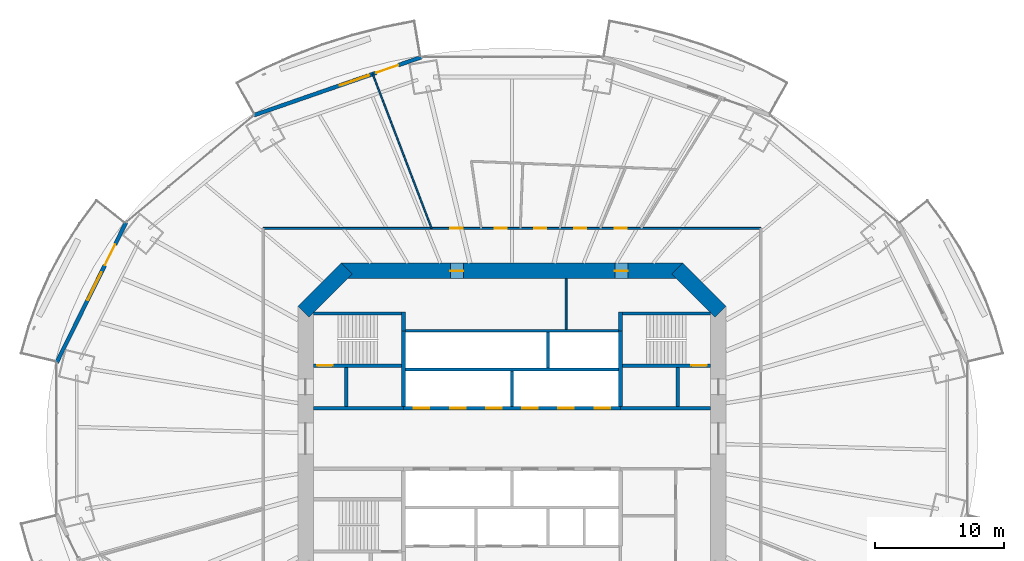
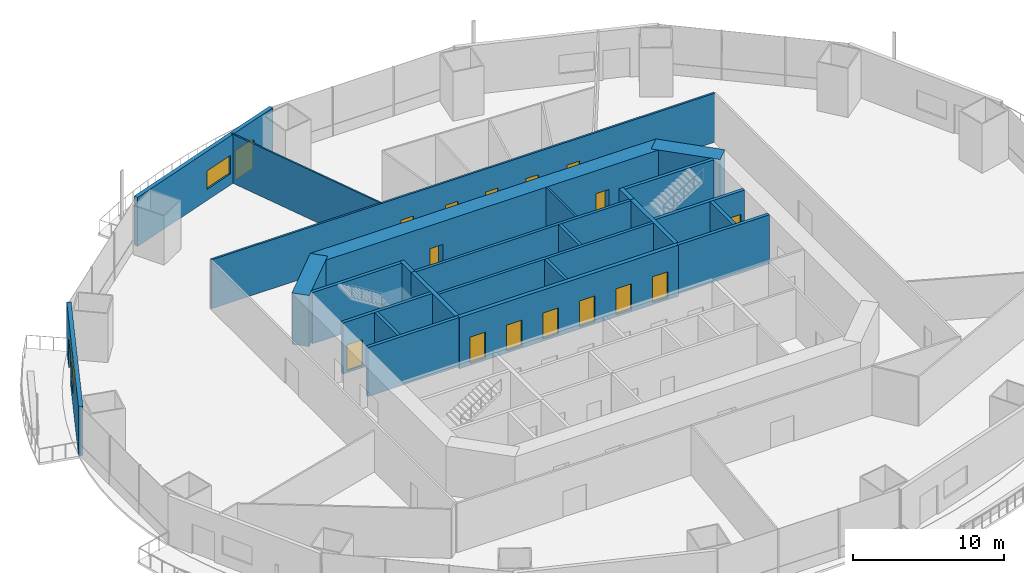
# One storey, part 16 of 23: 25 walls, 17 doors, 2 windows, 19 openings.
"""IFC4 building model written with IfcOpenShell, lengths in metres."""

import ifcopenshell
import ifcopenshell.guid

model = None  # the IFC model being written
_history = None  # IfcOwnerHistory: only IFC2X3 demands one
_inside = {}  # id of a spatial element -> (the spatial element, [elements in it])
_under = {}  # id of a project, library or spatial element -> (it, [spatial elements below it])
_declared = {}  # id of a project -> (the project, [libraries it declares])
_typed = {}  # id of a type object -> (the type object, [elements of that type])
_made_of = {}  # id of a material, layer set ... -> (it, [elements and type objects made of it])


def new_model(schema):
    """Start an empty IFC model of exactly this schema.

    Asked for "IFC4X3", IfcOpenShell would pick the latest addendum, in which some entities
    have other attributes; the version numbers below select the first issue.
    IFC2X3 requires an IfcOwnerHistory on every rooted entity: one is made here for all.
    """
    global model, _history
    if schema == "IFC4X3":
        model = ifcopenshell.file(schema_version=(4, 3, 0, 0))
    else:
        model = ifcopenshell.file(schema=schema)
    _inside.clear()
    _under.clear()
    _declared.clear()
    _typed.clear()
    _made_of.clear()
    _history = None
    if model.schema == "IFC2X3":
        org = make("IfcOrganization", Name="unknown")
        user = make(
            "IfcPersonAndOrganization",
            ThePerson=make("IfcPerson", FamilyName="unknown"),
            TheOrganization=org,
        )
        app = make(
            "IfcApplication",
            ApplicationDeveloper=org,
            Version="unknown",
            ApplicationFullName="unknown",
            ApplicationIdentifier="unknown",
        )
        _history = make(
            "IfcOwnerHistory",
            OwningUser=user,
            OwningApplication=app,
            ChangeAction="ADDED",
            CreationDate=0,
        )
    return model


def make(cls, **values):
    """One entity of the class cls with the attributes given. An attribute that is None is left unset."""
    return model.create_entity(
        cls, **{name: value for name, value in values.items() if value is not None}
    )


def rooted(cls, **values):
    """An entity with a GlobalId (a new one), such as an element, a storey or a relation."""
    return make(cls, GlobalId=ifcopenshell.guid.new(), OwnerHistory=_history, **values)


def si_unit(unit_type, name, prefix=None):
    """IfcSIUnit, for example si_unit("LENGTHUNIT", "METRE", prefix="MILLI")."""
    return make("IfcSIUnit", UnitType=unit_type, Prefix=prefix, Name=name)


def assignment(units):
    """IfcUnitAssignment: the units of a project."""
    return None if units is None else make("IfcUnitAssignment", Units=units)


def point(xyz):
    """IfcCartesianPoint."""
    return None if xyz is None else make("IfcCartesianPoint", Coordinates=xyz)


def direction(xyz):
    """IfcDirection."""
    return None if xyz is None else make("IfcDirection", DirectionRatios=xyz)


def frame(location, z_axis=None, x_axis=None):
    """IfcAxis2Placement3D, a coordinate frame: its origin and axes. An axis left out is left unset."""
    return make(
        "IfcAxis2Placement3D",
        Location=point(location),
        Axis=direction(z_axis),
        RefDirection=direction(x_axis),
    )


def frame_2d(location, x_axis=None):
    """IfcAxis2Placement2D, a coordinate frame in the plane: its origin and x axis."""
    return make(
        "IfcAxis2Placement2D", Location=point(location), RefDirection=direction(x_axis)
    )


def origin():
    """The frame at (0, 0, 0) with its axes left unset."""
    return frame((0.0, 0.0, 0.0))


def place(relative_to, where):
    """IfcLocalPlacement: puts the frame where relative to a parent placement (None: the world)."""
    return make(
        "IfcLocalPlacement", PlacementRelTo=relative_to, RelativePlacement=where
    )


def context(
    kind, dimensions, precision=None, world=None, true_north=None, identifier=None
):
    """IfcGeometricRepresentationContext, for example the 3D "Model" context."""
    return make(
        "IfcGeometricRepresentationContext",
        ContextIdentifier=identifier,
        ContextType=kind,
        CoordinateSpaceDimension=dimensions,
        Precision=precision,
        WorldCoordinateSystem=world,
        TrueNorth=true_north,
    )


def subcontext(parent, identifier, kind, view, scale=None):
    """IfcGeometricRepresentationSubContext, for example "Body" below "Model"."""
    return make(
        "IfcGeometricRepresentationSubContext",
        ContextIdentifier=identifier,
        ContextType=kind,
        ParentContext=parent,
        TargetScale=scale,
        TargetView=view,
    )


def project(units=None, contexts=None):
    """IfcProject with its units and contexts."""
    return rooted(
        "IfcProject",
        Name="project",
        RepresentationContexts=contexts,
        UnitsInContext=assignment(units),
    )


def spatial(cls, under=None, at=None, **own):
    """A site, building, storey or space (cls), placed at a placement, below another one or the project."""
    s = rooted(cls, ObjectPlacement=at, **own)
    if under is not None:
        _under.setdefault(under.id(), (under, []))[1].append(s)
    return s


def profile(cls, at=None, kind="AREA", **sizes):
    """A parametric profile (cls). Its sizes go by their IFC names, for example OverallWidth=200.0."""
    return make(cls, ProfileType=kind, Position=at, **sizes)


def rectangle(**sizes):
    """IfcRectangleProfileDef."""
    return profile("IfcRectangleProfileDef", **sizes)


def extrude(swept, where, along, depth):
    """IfcExtrudedAreaSolid: the profile swept, set in the frame where, extruded along a direction by depth."""
    return make(
        "IfcExtrudedAreaSolid",
        SweptArea=swept,
        Position=where,
        ExtrudedDirection=direction(along),
        Depth=depth,
    )


def shape(context_of_items, identifier, shape_type, items):
    """IfcShapeRepresentation: the items that make up one representation, for example the "Body"."""
    return make(
        "IfcShapeRepresentation",
        ContextOfItems=context_of_items,
        RepresentationIdentifier=identifier,
        RepresentationType=shape_type,
        Items=items,
    )


def material(Name=None, Category=None):
    """IfcMaterial."""
    return make("IfcMaterial", Name=Name, Category=Category)


def layer(
    of_material, thickness, ventilated=None, Name=None, Category=None, Priority=None
):
    """IfcMaterialLayer: one layer of a wall or slab, of a material (None: an air gap)."""
    return make(
        "IfcMaterialLayer",
        Material=of_material,
        LayerThickness=thickness,
        IsVentilated=ventilated,
        Name=Name,
        Category=Category,
        Priority=Priority,
    )


def layer_set(layers, Name=None):
    """IfcMaterialLayerSet."""
    return make("IfcMaterialLayerSet", MaterialLayers=layers, LayerSetName=Name)


def made_of(thing, what):
    """Note that an element or type object is made of a material, layer set ...; save() writes the relation."""
    if what is not None:
        _made_of.setdefault(what.id(), (what, []))[1].append(thing)
    return thing


def type_object(cls, material=None, **own):
    """A type object (cls), such as IfcWallType, which elements share."""
    return made_of(rooted(cls, **own), material)


def element(
    cls,
    number,
    at=None,
    inside=None,
    cuts=None,
    type_object=None,
    material=None,
    context=None,
    identifier="Body",
    shape_type=None,
    held_by="IfcProductDefinitionShape",
    body=None,
    shapes=None,
    **own,
):
    """One element of the class cls, such as IfcWall. Its Tag is "e" and its number.

    at: its placement. inside: the storey or other place that contains it. cuts: it is an
    opening in that element (IfcRelVoidsElement). A single representation is given by context,
    identifier, shape_type and body (its items); several are given by shapes. held_by: the class
    of the entity that holds the representations. save() writes the other relations.
    """
    e = rooted(cls, Tag="e%d" % number, ObjectPlacement=at, **own)
    if body is not None:
        shapes = [shape(context, identifier, shape_type, body)]
    if shapes is not None:
        e.Representation = make(held_by, Representations=shapes)
    if inside is not None:
        _inside.setdefault(inside.id(), (inside, []))[1].append(e)
    if cuts is not None:
        rooted(
            "IfcRelVoidsElement", RelatingBuildingElement=cuts, RelatedOpeningElement=e
        )
    if type_object is not None:
        _typed.setdefault(type_object.id(), (type_object, []))[1].append(e)
    return made_of(e, material)


def fill(opening, filler):
    """IfcRelFillsElement: the door or window that sits in an opening."""
    return rooted(
        "IfcRelFillsElement",
        RelatingOpeningElement=opening,
        RelatedBuildingElement=filler,
    )


def aggregate(whole, parts):
    """IfcRelAggregates: a whole, such as a stair, and the parts it consists of."""
    return rooted("IfcRelAggregates", RelatingObject=whole, RelatedObjects=parts)


def save(model, path):
    """Write the relations noted so far, then the file.

    IfcRelAggregates (storeys below a building ...), IfcRelContainedInSpatialStructure (elements
    in a storey), IfcRelDefinesByType, IfcRelAssociatesMaterial and IfcRelDeclares: one each for
    every whole, place, type object, material and project.
    """
    for whole, parts in _under.values():
        aggregate(whole, parts)
    for where, things in _inside.values():
        rooted(
            "IfcRelContainedInSpatialStructure",
            RelatedElements=things,
            RelatingStructure=where,
        )
    for kind, things in _typed.values():
        rooted("IfcRelDefinesByType", RelatedObjects=things, RelatingType=kind)
    for what, things in _made_of.values():
        rooted("IfcRelAssociatesMaterial", RelatedObjects=things, RelatingMaterial=what)
    for by, libraries in _declared.values():
        rooted("IfcRelDeclares", RelatingContext=by, RelatedDefinitions=libraries)
    model.write(path)


model = new_model("IFC4")

# Units and contexts
model_context = context("Model", 3, precision=1e-05, world=origin(), true_north=direction((0.0, 1.0)))
body_context = subcontext(model_context, "Body", "Model", "MODEL_VIEW")
ifc_project = project(units=[si_unit("LENGTHUNIT", "METRE"), si_unit("AREAUNIT", "SQUARE_METRE"), si_unit("VOLUMEUNIT", "CUBIC_METRE"), si_unit("PLANEANGLEUNIT", "RADIAN"), si_unit("MASSUNIT", "GRAM", prefix="KILO")], contexts=[model_context])

# Site, building, storey
site_placement = place(None, origin())
site = spatial("IfcSite", under=ifc_project, at=site_placement, CompositionType="ELEMENT")
building_placement = place(site_placement, origin())
building = spatial("IfcBuilding", under=site, at=building_placement, Name="Marenthal Gate Tower", CompositionType="ELEMENT")
storey_placement = place(building_placement, frame((0.0, 0.0, 62.050048828125)))
storey = spatial("IfcBuildingStorey", under=building, at=storey_placement, Name="L11", CompositionType="ELEMENT", Elevation=62.050048828125)

# Wall
ifc_material_1 = material(Name="Concrete 60 MPa", Category="concrete")
ifc_layer_1 = layer(ifc_material_1, 1.199951171875)
ifc_layer_set_1 = layer_set([ifc_layer_1], Name="Core shear wall 1200")
wall_type_1 = type_object("IfcWallType", Name="Core shear wall 1200", PredefinedType="SHEAR", material=ifc_layer_set_1)
wall_1_placement = place(storey_placement, frame((16.17578125, 9.82421875, -0.179931640625), z_axis=(0.0, 0.0, 1.0), x_axis=(-0.707106781187, 0.707106781187, 0.0)))
element("IfcWall", 1, at=wall_1_placement, inside=storey, type_object=wall_type_1, Name="Core wall 03", PredefinedType="SHEAR", context=body_context, shape_type="SweptSolid", body=[
    extrude(rectangle(XDim=4.73974609375, YDim=1.199951171875, at=frame_2d((2.369873046875, 0.0))), origin(), (0.0, 0.0, 1.0), 4.14990234375),
])

# Wall, openings, doors
wall_2_placement = place(storey_placement, frame((13.24853515625, 13.0, -0.179931640625), z_axis=(0.0, 0.0, 1.0), x_axis=(-1.0, 0.0, 0.0)))
wall_2 = element("IfcWall", 2, at=wall_2_placement, inside=storey, type_object=wall_type_1, Name="Core wall 04", PredefinedType="SHEAR", context=body_context, shape_type="SweptSolid", body=[
    extrude(rectangle(XDim=26.4970703125, YDim=1.199951171875, at=frame_2d((13.24853515625, 0.0))), origin(), (0.0, 0.0, 1.0), 4.14990234375),
])
opening_1_placement = place(wall_2_placement, frame((17.0244140625, 0.0, 0.179931640625)))
opening_1 = element("IfcOpeningElement", 3, at=opening_1_placement, cuts=wall_2, Name="Opening D005.01", PredefinedType="OPENING", context=body_context, shape_type="SweptSolid", body=[
    extrude(rectangle(XDim=1.0, YDim=2.10009765625, at=frame_2d((0.5, 1.050048828125))), frame((0.0, 0.60986328125, 0.0), z_axis=(0.0, -1.0, 0.0), x_axis=(1.0, 0.0, 0.0)), (0.0, 0.0, 1.0), 1.219970703125),
])
opening_2_placement = place(wall_2_placement, frame((4.2724609375, 0.0, 0.179931640625)))
opening_2 = element("IfcOpeningElement", 4, at=opening_2_placement, cuts=wall_2, Name="Opening D005.02", PredefinedType="OPENING", context=body_context, shape_type="SweptSolid", body=[
    extrude(rectangle(XDim=1.0, YDim=2.10009765625, at=frame_2d((0.5, 1.050048828125))), frame((0.0, 0.60986328125, 0.0), z_axis=(0.0, -1.0, 0.0), x_axis=(1.0, 0.0, 0.0)), (0.0, 0.0, 1.0), 1.219970703125),
])
ifc_material_2 = material(Name="Steel fire door", Category="steel")
door_type_1 = type_object("IfcDoorType", Name="Fire door FD 45 1000 x 2100", OperationType="NOTDEFINED", PredefinedType="DOOR", material=ifc_material_2)
door_1_placement = place(opening_1_placement, origin())
door_1 = element("IfcDoor", 5, at=door_1_placement, inside=storey, type_object=door_type_1, Name="Door D005.01", OperationType="SINGLE_SWING_RIGHT", OverallHeight=2.10009765625, OverallWidth=1.0, PredefinedType="DOOR", context=body_context, shape_type="SweptSolid", body=[
    extrude(rectangle(XDim=1.0, YDim=2.10009765625, at=frame_2d((0.5, 1.050048828125))), frame((0.0, 0.02490234375, 0.0), z_axis=(0.0, -1.0, 0.0), x_axis=(1.0, 0.0, 0.0)), (0.0, 0.0, 1.0), 0.050048828125),
])
fill(opening_1, door_1)
door_2_placement = place(opening_2_placement, origin())
door_2 = element("IfcDoor", 6, at=door_2_placement, inside=storey, type_object=door_type_1, Name="Door D005.02", OperationType="SINGLE_SWING_RIGHT", OverallHeight=2.10009765625, OverallWidth=1.0, PredefinedType="DOOR", context=body_context, shape_type="SweptSolid", body=[
    extrude(rectangle(XDim=1.0, YDim=2.10009765625, at=frame_2d((0.5, 1.050048828125))), frame((0.0, 0.02490234375, 0.0), z_axis=(0.0, -1.0, 0.0), x_axis=(1.0, 0.0, 0.0)), (0.0, 0.0, 1.0), 0.050048828125),
])
fill(opening_2, door_2)

# Wall
wall_3_placement = place(storey_placement, frame((-12.82421875, 13.17578125, -0.179931640625), z_axis=(0.0, 0.0, 1.0), x_axis=(-0.707106781187, -0.707106781187, 0.0)))
element("IfcWall", 7, at=wall_3_placement, inside=storey, type_object=wall_type_1, Name="Core wall 05", PredefinedType="SHEAR", context=body_context, shape_type="SweptSolid", body=[
    extrude(rectangle(XDim=4.73974609375, YDim=1.199951171875, at=frame_2d((2.369873046875, 0.0))), origin(), (0.0, 0.0, 1.0), 4.14990234375),
])

# Wall, openings, doors
ifc_material_3 = material(Name="Concrete 50 MPa", Category="concrete")
ifc_layer_2 = layer(ifc_material_3, 0.300048828125)
ifc_layer_set_2 = layer_set([ifc_layer_2], Name="Hoistway shear wall 300")
wall_type_2 = type_object("IfcWallType", Name="Hoistway shear wall 300", PredefinedType="SHEAR", material=ifc_layer_set_2)
wall_4_placement = place(storey_placement, frame((-8.39990234375, 2.35009765625, -0.179931640625), z_axis=(0.0, 0.0, 1.0), x_axis=(1.0, 0.0, 0.0)))
wall_4 = element("IfcWall", 8, at=wall_4_placement, inside=storey, type_object=wall_type_2, Name="Hoistway wall 19", PredefinedType="SHEAR", context=body_context, shape_type="SweptSolid", body=[
    extrude(rectangle(XDim=16.7998046875, YDim=0.300048828125, at=frame_2d((8.39990234375, 0.0))), origin(), (0.0, 0.0, 1.0), 4.14990234375),
])
opening_3_placement = place(wall_4_placement, frame((0.800048828125, 0.0, 0.179931640625)))
opening_3 = element("IfcOpeningElement", 9, at=opening_3_placement, cuts=wall_4, Name="Opening LD-LP1", PredefinedType="OPENING", context=body_context, shape_type="SweptSolid", body=[
    extrude(rectangle(XDim=1.199951171875, YDim=2.10009765625, at=frame_2d((0.60009765625, 1.050048828125))), frame((0.0, 0.16015625, 0.0), z_axis=(0.0, -1.0, 0.0), x_axis=(1.0, 0.0, 0.0)), (0.0, 0.0, 1.0), 0.320068359375),
])
opening_4_placement = place(wall_4_placement, frame((3.60009765625, 0.0, 0.179931640625)))
opening_4 = element("IfcOpeningElement", 10, at=opening_4_placement, cuts=wall_4, Name="Opening LD-LP2", PredefinedType="OPENING", context=body_context, shape_type="SweptSolid", body=[
    extrude(rectangle(XDim=1.199951171875, YDim=2.10009765625, at=frame_2d((0.60009765625, 1.050048828125))), frame((0.0, 0.16015625, 0.0), z_axis=(0.0, -1.0, 0.0), x_axis=(1.0, 0.0, 0.0)), (0.0, 0.0, 1.0), 0.320068359375),
])
opening_5_placement = place(wall_4_placement, frame((6.39990234375, 0.0, 0.179931640625)))
opening_5 = element("IfcOpeningElement", 11, at=opening_5_placement, cuts=wall_4, Name="Opening LD-LP3", PredefinedType="OPENING", context=body_context, shape_type="SweptSolid", body=[
    extrude(rectangle(XDim=1.199951171875, YDim=2.10009765625, at=frame_2d((0.60009765625, 1.050048828125))), frame((0.0, 0.16015625, 0.0), z_axis=(0.0, -1.0, 0.0), x_axis=(1.0, 0.0, 0.0)), (0.0, 0.0, 1.0), 0.320068359375),
])
opening_6_placement = place(wall_4_placement, frame((9.199951171875, 0.0, 0.179931640625)))
opening_6 = element("IfcOpeningElement", 12, at=opening_6_placement, cuts=wall_4, Name="Opening LD-LP4", PredefinedType="OPENING", context=body_context, shape_type="SweptSolid", body=[
    extrude(rectangle(XDim=1.199951171875, YDim=2.10009765625, at=frame_2d((0.60009765625, 1.050048828125))), frame((0.0, 0.16015625, 0.0), z_axis=(0.0, -1.0, 0.0), x_axis=(1.0, 0.0, 0.0)), (0.0, 0.0, 1.0), 0.320068359375),
])
opening_7_placement = place(wall_4_placement, frame((12.0, 0.0, 0.179931640625)))
opening_7 = element("IfcOpeningElement", 13, at=opening_7_placement, cuts=wall_4, Name="Opening LD-LP5", PredefinedType="OPENING", context=body_context, shape_type="SweptSolid", body=[
    extrude(rectangle(XDim=1.199951171875, YDim=2.10009765625, at=frame_2d((0.60009765625, 1.050048828125))), frame((0.0, 0.16015625, 0.0), z_axis=(0.0, -1.0, 0.0), x_axis=(1.0, 0.0, 0.0)), (0.0, 0.0, 1.0), 0.320068359375),
])
opening_8_placement = place(wall_4_placement, frame((14.800048828125, 0.0, 0.179931640625)))
opening_8 = element("IfcOpeningElement", 14, at=opening_8_placement, cuts=wall_4, Name="Opening LD-LP6", PredefinedType="OPENING", context=body_context, shape_type="SweptSolid", body=[
    extrude(rectangle(XDim=1.199951171875, YDim=2.10009765625, at=frame_2d((0.60009765625, 1.050048828125))), frame((0.0, 0.16015625, 0.0), z_axis=(0.0, -1.0, 0.0), x_axis=(1.0, 0.0, 0.0)), (0.0, 0.0, 1.0), 0.320068359375),
])
ifc_material_4 = material(Name="Stainless steel sliding door", Category="steel")
door_type_2 = type_object("IfcDoorType", Name="Lift landing door FD 90 1200 x 2100", OperationType="DOUBLE_DOOR_SLIDING", PredefinedType="DOOR", material=ifc_material_4)
door_3_placement = place(opening_3_placement, origin())
door_3 = element("IfcDoor", 15, at=door_3_placement, inside=storey, type_object=door_type_2, Name="Lift landing door LP1", OperationType="DOUBLE_DOOR_SLIDING", OverallHeight=2.10009765625, OverallWidth=1.199951171875, PredefinedType="DOOR", context=body_context, shape_type="SweptSolid", body=[
    extrude(rectangle(XDim=1.199951171875, YDim=2.10009765625, at=frame_2d((0.60009765625, 1.050048828125))), frame((0.0, 0.02490234375, 0.0), z_axis=(0.0, -1.0, 0.0), x_axis=(1.0, 0.0, 0.0)), (0.0, 0.0, 1.0), 0.050048828125),
])
fill(opening_3, door_3)
door_4_placement = place(opening_4_placement, origin())
door_4 = element("IfcDoor", 16, at=door_4_placement, inside=storey, type_object=door_type_2, Name="Lift landing door LP2", OperationType="DOUBLE_DOOR_SLIDING", OverallHeight=2.10009765625, OverallWidth=1.199951171875, PredefinedType="DOOR", context=body_context, shape_type="SweptSolid", body=[
    extrude(rectangle(XDim=1.199951171875, YDim=2.10009765625, at=frame_2d((0.60009765625, 1.050048828125))), frame((0.0, 0.02490234375, 0.0), z_axis=(0.0, -1.0, 0.0), x_axis=(1.0, 0.0, 0.0)), (0.0, 0.0, 1.0), 0.050048828125),
])
fill(opening_4, door_4)
door_5_placement = place(opening_5_placement, origin())
door_5 = element("IfcDoor", 17, at=door_5_placement, inside=storey, type_object=door_type_2, Name="Lift landing door LP3", OperationType="DOUBLE_DOOR_SLIDING", OverallHeight=2.10009765625, OverallWidth=1.199951171875, PredefinedType="DOOR", context=body_context, shape_type="SweptSolid", body=[
    extrude(rectangle(XDim=1.199951171875, YDim=2.10009765625, at=frame_2d((0.60009765625, 1.050048828125))), frame((0.0, 0.02490234375, 0.0), z_axis=(0.0, -1.0, 0.0), x_axis=(1.0, 0.0, 0.0)), (0.0, 0.0, 1.0), 0.050048828125),
])
fill(opening_5, door_5)
door_6_placement = place(opening_6_placement, origin())
door_6 = element("IfcDoor", 18, at=door_6_placement, inside=storey, type_object=door_type_2, Name="Lift landing door LP4", OperationType="DOUBLE_DOOR_SLIDING", OverallHeight=2.10009765625, OverallWidth=1.199951171875, PredefinedType="DOOR", context=body_context, shape_type="SweptSolid", body=[
    extrude(rectangle(XDim=1.199951171875, YDim=2.10009765625, at=frame_2d((0.60009765625, 1.050048828125))), frame((0.0, 0.02490234375, 0.0), z_axis=(0.0, -1.0, 0.0), x_axis=(1.0, 0.0, 0.0)), (0.0, 0.0, 1.0), 0.050048828125),
])
fill(opening_6, door_6)
door_7_placement = place(opening_7_placement, origin())
door_7 = element("IfcDoor", 19, at=door_7_placement, inside=storey, type_object=door_type_2, Name="Lift landing door LP5", OperationType="DOUBLE_DOOR_SLIDING", OverallHeight=2.10009765625, OverallWidth=1.199951171875, PredefinedType="DOOR", context=body_context, shape_type="SweptSolid", body=[
    extrude(rectangle(XDim=1.199951171875, YDim=2.10009765625, at=frame_2d((0.60009765625, 1.050048828125))), frame((0.0, 0.02490234375, 0.0), z_axis=(0.0, -1.0, 0.0), x_axis=(1.0, 0.0, 0.0)), (0.0, 0.0, 1.0), 0.050048828125),
])
fill(opening_7, door_7)
door_8_placement = place(opening_8_placement, origin())
door_8 = element("IfcDoor", 20, at=door_8_placement, inside=storey, type_object=door_type_2, Name="Lift landing door LP6", OperationType="DOUBLE_DOOR_SLIDING", OverallHeight=2.10009765625, OverallWidth=1.199951171875, PredefinedType="DOOR", context=body_context, shape_type="SweptSolid", body=[
    extrude(rectangle(XDim=1.199951171875, YDim=2.10009765625, at=frame_2d((0.60009765625, 1.050048828125))), frame((0.0, 0.02490234375, 0.0), z_axis=(0.0, -1.0, 0.0), x_axis=(1.0, 0.0, 0.0)), (0.0, 0.0, 1.0), 0.050048828125),
])
fill(opening_8, door_8)

# Walls
for number, where, z_axis, x_axis, name in (
    (21, (-8.39990234375, 2.5, -0.179931640625), (0.0, 0.0, 1.0), (0.0, 1.0, 0.0), "Hoistway wall 31"),
    (22, (8.39990234375, 2.5, -0.179931640625), (0.0, 0.0, 1.0), (0.0, 1.0, 0.0), "Hoistway wall 43"),
):
    element("IfcWall", number, at=place(storey_placement, frame(where, z_axis=z_axis, x_axis=x_axis)), inside=storey, type_object=wall_type_2, Name=name, PredefinedType="SHEAR", context=body_context, shape_type="SweptSolid", body=[
        extrude(rectangle(XDim=5.85009765625, YDim=0.300048828125, at=frame_2d((2.925048828125, 0.0))), origin(), (0.0, 0.0, 1.0), 4.14990234375),
    ])
ifc_material_5 = material(Name="Concrete 40 MPa", Category="concrete")
ifc_layer_3 = layer(ifc_material_5, 0.219970703125)
ifc_layer_set_3 = layer_set([ifc_layer_3], Name="Hoistway wall 220")
wall_type_3 = type_object("IfcWallType", Name="Hoistway wall 220", PredefinedType="STANDARD", material=ifc_layer_set_3)
for number, where, z_axis, x_axis, name in (
    (23, (-8.25, 5.35009765625, 0.0), (0.0, 0.0, 1.0), (1.0, 0.0, 0.0), "Hoistway wall 21"),
    (24, (-8.25, 8.35009765625, 0.0), (0.0, 0.0, 1.0), (1.0, 0.0, 0.0), "Hoistway wall 24"),
):
    element("IfcWall", number, at=place(storey_placement, frame(where, z_axis=z_axis, x_axis=x_axis)), inside=storey, type_object=wall_type_3, Name=name, PredefinedType="STANDARD", context=body_context, shape_type="SweptSolid", body=[
        extrude(rectangle(XDim=16.5, YDim=0.219970703125, at=frame_2d((8.25, 0.0))), origin(), (0.0, 0.0, 1.0), 3.969970703125),
    ])
wall_5_placement = place(storey_placement, frame((0.0, 2.5, 0.0), z_axis=(0.0, 0.0, 1.0), x_axis=(0.0, 1.0, 0.0)))
element("IfcWall", 25, at=wall_5_placement, inside=storey, type_object=wall_type_3, Name="Hoistway wall 36", PredefinedType="STANDARD", context=body_context, shape_type="SweptSolid", body=[
    extrude(rectangle(XDim=2.739990234375, YDim=0.219970703125, at=frame_2d((1.3701171875, 0.0))), origin(), (0.0, 0.0, 1.0), 3.969970703125),
])
wall_6_placement = place(storey_placement, frame((2.800048828125, 5.4599609375, 0.0), z_axis=(0.0, 0.0, 1.0), x_axis=(0.0, 1.0, 0.0)))
element("IfcWall", 26, at=wall_6_placement, inside=storey, type_object=wall_type_3, Name="Hoistway wall 38", PredefinedType="STANDARD", context=body_context, shape_type="SweptSolid", body=[
    extrude(rectangle(XDim=2.780029296875, YDim=0.219970703125, at=frame_2d((1.39013671875, 0.0))), origin(), (0.0, 0.0, 1.0), 3.969970703125),
])
ifc_material_6 = material(Name="Gypsum board on steel studs", Category="steel")
ifc_layer_4 = layer(ifc_material_6, 0.1201171875)
ifc_layer_set_4 = layer_set([ifc_layer_4], Name="Partition 120")
wall_type_4 = type_object("IfcWallType", Name="Partition 120", PredefinedType="PARTITIONING", material=ifc_layer_set_4)
wall_7_placement = place(storey_placement, frame((-6.23046875, 16.300048828125, 0.0), z_axis=(0.0, 0.0, 1.0), x_axis=(-0.357030786406, 0.934092617227, 0.0)))
element("IfcWall", 27, at=wall_7_placement, inside=storey, type_object=wall_type_4, Name="Partition wall 52", PredefinedType="PARTITIONING", context=body_context, shape_type="SweptSolid", body=[
    extrude(rectangle(XDim=12.80224609375, YDim=0.1201171875, at=frame_2d((6.401123046875, 0.0))), origin(), (0.0, 0.0, 1.0), 3.969970703125),
])
ifc_material_7 = material(Name="Gypsum board on steel studs", Category="steel")
ifc_layer_5 = layer(ifc_material_7, 0.14990234375)
ifc_layer_set_5 = layer_set([ifc_layer_5], Name="Partition 150")
wall_type_5 = type_object("IfcWallType", Name="Partition 150", PredefinedType="PARTITIONING", material=ifc_layer_set_5)
wall_8_placement = place(storey_placement, frame((4.199951171875, 8.4599609375, 0.0), z_axis=(0.0, 0.0, 1.0), x_axis=(0.0, 1.0, 0.0)))
element("IfcWall", 28, at=wall_8_placement, inside=storey, type_object=wall_type_5, Name="Partition wall 39", PredefinedType="PARTITIONING", context=body_context, shape_type="SweptSolid", body=[
    extrude(rectangle(XDim=3.93994140625, YDim=0.14990234375, at=frame_2d((1.969970703125, 0.0))), origin(), (0.0, 0.0, 1.0), 3.969970703125),
])

# Wall, openings, doors
wall_9_placement = place(storey_placement, frame((-19.300048828125, 16.300048828125, 0.0), z_axis=(0.0, 0.0, 1.0), x_axis=(1.0, 0.0, 0.0)))
wall_9 = element("IfcWall", 29, at=wall_9_placement, inside=storey, type_object=wall_type_5, Name="Partition wall 51", PredefinedType="PARTITIONING", context=body_context, shape_type="SweptSolid", body=[
    extrude(rectangle(XDim=38.60009765625, YDim=0.14990234375, at=frame_2d((19.300048828125, 0.0))), origin(), (0.0, 0.0, 1.0), 3.969970703125),
])
opening_9_placement = place(wall_9_placement, frame((27.260009765625, 0.0, 0.0)))
opening_9 = element("IfcOpeningElement", 30, at=opening_9_placement, cuts=wall_9, Name="Opening D016.01", PredefinedType="OPENING", context=body_context, shape_type="SweptSolid", body=[
    extrude(rectangle(XDim=0.949951171875, YDim=2.10009765625, at=frame_2d((0.47509765625, 1.050048828125))), frame((0.0, 0.0849609375, 0.0), z_axis=(0.0, -1.0, 0.0), x_axis=(1.0, 0.0, 0.0)), (0.0, 0.0, 1.0), 0.169921875),
])
opening_10_placement = place(wall_9_placement, frame((24.110107421875, 0.0, 0.0)))
opening_10 = element("IfcOpeningElement", 31, at=opening_10_placement, cuts=wall_9, Name="Opening D016.02", PredefinedType="OPENING", context=body_context, shape_type="SweptSolid", body=[
    extrude(rectangle(XDim=0.949951171875, YDim=2.10009765625, at=frame_2d((0.47509765625, 1.050048828125))), frame((0.0, 0.0849609375, 0.0), z_axis=(0.0, -1.0, 0.0), x_axis=(1.0, 0.0, 0.0)), (0.0, 0.0, 1.0), 0.169921875),
])
opening_11_placement = place(wall_9_placement, frame((21.008056640625, 0.0, 0.0)))
opening_11 = element("IfcOpeningElement", 32, at=opening_11_placement, cuts=wall_9, Name="Opening D016.03", PredefinedType="OPENING", context=body_context, shape_type="SweptSolid", body=[
    extrude(rectangle(XDim=0.949951171875, YDim=2.10009765625, at=frame_2d((0.47509765625, 1.050048828125))), frame((0.0, 0.0849609375, 0.0), z_axis=(0.0, -1.0, 0.0), x_axis=(1.0, 0.0, 0.0)), (0.0, 0.0, 1.0), 0.169921875),
])
opening_12_placement = place(wall_9_placement, frame((17.951904296875, 0.0, 0.0)))
opening_12 = element("IfcOpeningElement", 33, at=opening_12_placement, cuts=wall_9, Name="Opening D016.04", PredefinedType="OPENING", context=body_context, shape_type="SweptSolid", body=[
    extrude(rectangle(XDim=0.949951171875, YDim=2.10009765625, at=frame_2d((0.47509765625, 1.050048828125))), frame((0.0, 0.0849609375, 0.0), z_axis=(0.0, -1.0, 0.0), x_axis=(1.0, 0.0, 0.0)), (0.0, 0.0, 1.0), 0.169921875),
])
opening_13_placement = place(wall_9_placement, frame((14.51611328125, 0.0, 0.0)))
opening_13 = element("IfcOpeningElement", 34, at=opening_13_placement, cuts=wall_9, Name="Opening D016.05", PredefinedType="OPENING", context=body_context, shape_type="SweptSolid", body=[
    extrude(rectangle(XDim=0.949951171875, YDim=2.10009765625, at=frame_2d((0.47509765625, 1.050048828125))), frame((0.0, 0.0849609375, 0.0), z_axis=(0.0, -1.0, 0.0), x_axis=(1.0, 0.0, 0.0)), (0.0, 0.0, 1.0), 0.169921875),
])
ifc_material_8 = material(Name="Timber door", Category="wood")
door_type_3 = type_object("IfcDoorType", Name="Door 950 x 2100", OperationType="NOTDEFINED", PredefinedType="DOOR", material=ifc_material_8)
door_9_placement = place(opening_9_placement, origin())
door_9 = element("IfcDoor", 35, at=door_9_placement, inside=storey, type_object=door_type_3, Name="Door D016.01", OperationType="SINGLE_SWING_RIGHT", OverallHeight=2.10009765625, OverallWidth=0.949951171875, PredefinedType="DOOR", context=body_context, shape_type="SweptSolid", body=[
    extrude(rectangle(XDim=0.949951171875, YDim=2.10009765625, at=frame_2d((0.47509765625, 1.050048828125))), frame((0.0, 0.02490234375, 0.0), z_axis=(0.0, -1.0, 0.0), x_axis=(1.0, 0.0, 0.0)), (0.0, 0.0, 1.0), 0.050048828125),
])
fill(opening_9, door_9)
door_10_placement = place(opening_10_placement, origin())
door_10 = element("IfcDoor", 36, at=door_10_placement, inside=storey, type_object=door_type_3, Name="Door D016.02", OperationType="SINGLE_SWING_RIGHT", OverallHeight=2.10009765625, OverallWidth=0.949951171875, PredefinedType="DOOR", context=body_context, shape_type="SweptSolid", body=[
    extrude(rectangle(XDim=0.949951171875, YDim=2.10009765625, at=frame_2d((0.47509765625, 1.050048828125))), frame((0.0, 0.02490234375, 0.0), z_axis=(0.0, -1.0, 0.0), x_axis=(1.0, 0.0, 0.0)), (0.0, 0.0, 1.0), 0.050048828125),
])
fill(opening_10, door_10)
door_11_placement = place(opening_11_placement, origin())
door_11 = element("IfcDoor", 37, at=door_11_placement, inside=storey, type_object=door_type_3, Name="Door D016.03", OperationType="SINGLE_SWING_RIGHT", OverallHeight=2.10009765625, OverallWidth=0.949951171875, PredefinedType="DOOR", context=body_context, shape_type="SweptSolid", body=[
    extrude(rectangle(XDim=0.949951171875, YDim=2.10009765625, at=frame_2d((0.47509765625, 1.050048828125))), frame((0.0, 0.02490234375, 0.0), z_axis=(0.0, -1.0, 0.0), x_axis=(1.0, 0.0, 0.0)), (0.0, 0.0, 1.0), 0.050048828125),
])
fill(opening_11, door_11)
door_12_placement = place(opening_12_placement, origin())
door_12 = element("IfcDoor", 38, at=door_12_placement, inside=storey, type_object=door_type_3, Name="Door D016.04", OperationType="SINGLE_SWING_RIGHT", OverallHeight=2.10009765625, OverallWidth=0.949951171875, PredefinedType="DOOR", context=body_context, shape_type="SweptSolid", body=[
    extrude(rectangle(XDim=0.949951171875, YDim=2.10009765625, at=frame_2d((0.47509765625, 1.050048828125))), frame((0.0, 0.02490234375, 0.0), z_axis=(0.0, -1.0, 0.0), x_axis=(1.0, 0.0, 0.0)), (0.0, 0.0, 1.0), 0.050048828125),
])
fill(opening_12, door_12)
door_13_placement = place(opening_13_placement, origin())
door_13 = element("IfcDoor", 39, at=door_13_placement, inside=storey, type_object=door_type_3, Name="Door D016.05", OperationType="SINGLE_SWING_RIGHT", OverallHeight=2.10009765625, OverallWidth=0.949951171875, PredefinedType="DOOR", context=body_context, shape_type="SweptSolid", body=[
    extrude(rectangle(XDim=0.949951171875, YDim=2.10009765625, at=frame_2d((0.47509765625, 1.050048828125))), frame((0.0, 0.02490234375, 0.0), z_axis=(0.0, -1.0, 0.0), x_axis=(1.0, 0.0, 0.0)), (0.0, 0.0, 1.0), 0.050048828125),
])
fill(opening_13, door_13)

# Walls
ifc_material_9 = material(Name="Concrete 40 MPa", Category="concrete")
ifc_layer_6 = layer(ifc_material_9, 0.25)
ifc_layer_set_6 = layer_set([ifc_layer_6], Name="Stair enclosure wall 250")
wall_type_6 = type_object("IfcWallType", Name="Stair enclosure wall 250", PredefinedType="STANDARD", material=ifc_layer_set_6)
for number, where, z_axis, x_axis, name in (
    (40, (-15.39990234375, 2.35009765625, 0.0), (0.0, 0.0, 1.0), (1.0, 0.0, 0.0), "Stair wall 18"),
    (41, (8.39990234375, 2.35009765625, 0.0), (0.0, 0.0, 1.0), (1.0, 0.0, 0.0), "Stair wall 20"),
):
    element("IfcWall", number, at=place(storey_placement, frame(where, z_axis=z_axis, x_axis=x_axis)), inside=storey, type_object=wall_type_6, Name=name, PredefinedType="STANDARD", context=body_context, shape_type="SweptSolid", body=[
        extrude(rectangle(XDim=7.0, YDim=0.25, at=frame_2d((3.5, 0.0))), origin(), (0.0, 0.0, 1.0), 3.969970703125),
    ])
for number, where, z_axis, x_axis, name in (
    (42, (-12.85009765625, 2.47509765625, 0.0), (0.0, 0.0, 1.0), (0.0, 1.0, 0.0), "Stair wall 27"),
    (43, (12.85009765625, 2.47509765625, 0.0), (0.0, 0.0, 1.0), (0.0, 1.0, 0.0), "Stair wall 46"),
):
    element("IfcWall", number, at=place(storey_placement, frame(where, z_axis=z_axis, x_axis=x_axis)), inside=storey, type_object=wall_type_6, Name=name, PredefinedType="STANDARD", context=body_context, shape_type="SweptSolid", body=[
        extrude(rectangle(XDim=3.0498046875, YDim=0.25, at=frame_2d((1.52490234375, 0.0))), origin(), (0.0, 0.0, 1.0), 3.969970703125),
    ])

# Wall, opening, door
ifc_material_10 = material(Name="Concrete 50 MPa", Category="concrete")
ifc_layer_7 = layer(ifc_material_10, 0.25)
ifc_layer_set_7 = layer_set([ifc_layer_7], Name="Stair shear wall 250")
wall_type_7 = type_object("IfcWallType", Name="Stair shear wall 250", PredefinedType="SHEAR", material=ifc_layer_set_7)
wall_10_placement = place(storey_placement, frame((-15.39990234375, 5.64990234375, -0.179931640625), z_axis=(0.0, 0.0, 1.0), x_axis=(1.0, 0.0, 0.0)))
wall_10 = element("IfcWall", 44, at=wall_10_placement, inside=storey, type_object=wall_type_7, Name="Stair wall 22", PredefinedType="SHEAR", context=body_context, shape_type="SweptSolid", body=[
    extrude(rectangle(XDim=6.849853515625, YDim=0.25, at=frame_2d((3.4248046875, 0.0))), origin(), (0.0, 0.0, 1.0), 4.14990234375),
])
opening_14_placement = place(wall_10_placement, frame((0.300048828125, 0.0, 0.179931640625)))
opening_14 = element("IfcOpeningElement", 45, at=opening_14_placement, cuts=wall_10, Name="Opening D001.01", PredefinedType="OPENING", context=body_context, shape_type="SweptSolid", body=[
    extrude(rectangle(XDim=1.199951171875, YDim=2.10009765625, at=frame_2d((0.60009765625, 1.050048828125))), frame((0.0, 0.135009765625, 0.0), z_axis=(0.0, -1.0, 0.0), x_axis=(1.0, 0.0, 0.0)), (0.0, 0.0, 1.0), 0.27001953125),
])
ifc_material_11 = material(Name="Steel fire door", Category="steel")
door_type_4 = type_object("IfcDoorType", Name="Fire door FD 90 1200 x 2100", OperationType="NOTDEFINED", PredefinedType="DOOR", material=ifc_material_11)
door_14_placement = place(opening_14_placement, origin())
door_14 = element("IfcDoor", 46, at=door_14_placement, inside=storey, type_object=door_type_4, Name="Door D001.01", OperationType="SINGLE_SWING_RIGHT", OverallHeight=2.10009765625, OverallWidth=1.199951171875, PredefinedType="DOOR", context=body_context, shape_type="SweptSolid", body=[
    extrude(rectangle(XDim=1.199951171875, YDim=2.10009765625, at=frame_2d((0.60009765625, 1.050048828125))), frame((0.0, 0.02490234375, 0.0), z_axis=(0.0, -1.0, 0.0), x_axis=(1.0, 0.0, 0.0)), (0.0, 0.0, 1.0), 0.050048828125),
])
fill(opening_14, door_14)

wall_11_placement = place(storey_placement, frame((8.550048828125, 5.64990234375, -0.179931640625), z_axis=(0.0, 0.0, 1.0), x_axis=(1.0, 0.0, 0.0)))
wall_11 = element("IfcWall", 47, at=wall_11_placement, inside=storey, type_object=wall_type_7, Name="Stair wall 23", PredefinedType="SHEAR", context=body_context, shape_type="SweptSolid", body=[
    extrude(rectangle(XDim=6.849853515625, YDim=0.25, at=frame_2d((3.4248046875, 0.0))), origin(), (0.0, 0.0, 1.0), 4.14990234375),
])
opening_15_placement = place(wall_11_placement, frame((5.35009765625, 0.0, 0.179931640625)))
opening_15 = element("IfcOpeningElement", 48, at=opening_15_placement, cuts=wall_11, Name="Opening D001.02", PredefinedType="OPENING", context=body_context, shape_type="SweptSolid", body=[
    extrude(rectangle(XDim=1.199951171875, YDim=2.10009765625, at=frame_2d((0.60009765625, 1.050048828125))), frame((0.0, 0.135009765625, 0.0), z_axis=(0.0, -1.0, 0.0), x_axis=(1.0, 0.0, 0.0)), (0.0, 0.0, 1.0), 0.27001953125),
])
door_15_placement = place(opening_15_placement, origin())
door_15 = element("IfcDoor", 49, at=door_15_placement, inside=storey, type_object=door_type_4, Name="Door D001.02", OperationType="SINGLE_SWING_RIGHT", OverallHeight=2.10009765625, OverallWidth=1.199951171875, PredefinedType="DOOR", context=body_context, shape_type="SweptSolid", body=[
    extrude(rectangle(XDim=1.199951171875, YDim=2.10009765625, at=frame_2d((0.60009765625, 1.050048828125))), frame((0.0, 0.02490234375, 0.0), z_axis=(0.0, -1.0, 0.0), x_axis=(1.0, 0.0, 0.0)), (0.0, 0.0, 1.0), 0.050048828125),
])
fill(opening_15, door_15)

# Walls
for number, where, z_axis, x_axis, name in (
    (50, (-15.39990234375, 9.699951171875, -0.179931640625), (0.0, 0.0, 1.0), (1.0, 0.0, 0.0), "Stair wall 25"),
    (51, (8.550048828125, 9.699951171875, -0.179931640625), (0.0, 0.0, 1.0), (1.0, 0.0, 0.0), "Stair wall 26"),
):
    element("IfcWall", number, at=place(storey_placement, frame(where, z_axis=z_axis, x_axis=x_axis)), inside=storey, type_object=wall_type_7, Name=name, PredefinedType="SHEAR", context=body_context, shape_type="SweptSolid", body=[
        extrude(rectangle(XDim=6.849853515625, YDim=0.25, at=frame_2d((3.4248046875, 0.0))), origin(), (0.0, 0.0, 1.0), 4.14990234375),
    ])
ifc_material_12 = material(Name="Concrete 50 MPa", Category="concrete")
ifc_layer_8 = layer(ifc_material_12, 0.300048828125)
ifc_layer_set_8 = layer_set([ifc_layer_8], Name="Stair shear wall 300")
wall_type_8 = type_object("IfcWallType", Name="Stair shear wall 300", PredefinedType="SHEAR", material=ifc_layer_set_8)
for number, where, z_axis, x_axis, name in (
    (52, (-8.39990234375, 8.35009765625, -0.179931640625), (0.0, 0.0, 1.0), (0.0, 1.0, 0.0), "Stair wall 32"),
    (53, (8.39990234375, 8.35009765625, -0.179931640625), (0.0, 0.0, 1.0), (0.0, 1.0, 0.0), "Stair wall 44"),
):
    element("IfcWall", number, at=place(storey_placement, frame(where, z_axis=z_axis, x_axis=x_axis)), inside=storey, type_object=wall_type_8, Name=name, PredefinedType="SHEAR", context=body_context, shape_type="SweptSolid", body=[
        extrude(rectangle(XDim=1.474853515625, YDim=0.300048828125, at=frame_2d((0.7373046875, 0.0))), origin(), (0.0, 0.0, 1.0), 4.14990234375),
    ])

# Wall, openings, door, window
ifc_material_13 = material(Name="Terracotta cladding on insulated concrete-block backing", Category="masonry")
ifc_layer_9 = layer(ifc_material_13, 0.300048828125)
ifc_layer_set_9 = layer_set([ifc_layer_9], Name="Terracotta facade wall 300")
wall_type_9 = type_object("IfcWallType", Name="Terracotta facade wall 300", PredefinedType="SOLIDWALL", material=ifc_layer_set_9)
wall_12_placement = place(storey_placement, frame((-7.022216796875, 29.569580078125, 0.0), z_axis=(0.0, 0.0, 1.0), x_axis=(-0.944762678088, -0.327755216727, 0.0)))
wall_12 = element("IfcWall", 54, at=wall_12_placement, inside=storey, type_object=wall_type_9, Name="Terracotta facade wall L11 bay 5", PredefinedType="SOLIDWALL", context=body_context, shape_type="SweptSolid", body=[
    extrude(rectangle(XDim=13.734130859375, YDim=0.300048828125, at=frame_2d((6.8671875, 0.0))), origin(), (0.0, 0.0, 1.0), 3.969970703125),
])
opening_16_placement = place(wall_12_placement, frame((1.89990234375, 0.0, 0.0)))
opening_16 = element("IfcOpeningElement", 55, at=opening_16_placement, cuts=wall_12, Name="Opening BD-L11-05", PredefinedType="OPENING", context=body_context, shape_type="SweptSolid", body=[
    extrude(rectangle(XDim=1.800048828125, YDim=2.39990234375, at=frame_2d((0.89990234375, 1.199951171875))), frame((0.0, 0.16015625, 0.0), z_axis=(0.0, -1.0, 0.0), x_axis=(1.0, 0.0, 0.0)), (0.0, 0.0, 1.0), 0.320068359375),
])
opening_17_placement = place(wall_12_placement, frame((4.300048828125, 0.0, 0.89990234375)))
opening_17 = element("IfcOpeningElement", 56, at=opening_17_placement, cuts=wall_12, Name="Opening WN1-L11-05", PredefinedType="OPENING", context=body_context, shape_type="SweptSolid", body=[
    extrude(rectangle(XDim=2.39990234375, YDim=1.5, at=frame_2d((1.199951171875, 0.75))), frame((0.0, 0.16015625, 0.0), z_axis=(0.0, -1.0, 0.0), x_axis=(1.0, 0.0, 0.0)), (0.0, 0.0, 1.0), 0.320068359375),
])
ifc_material_14 = material(Name="Aluminium and glass", Category="aluminium")
door_type_5 = type_object("IfcDoorType", Name="Balcony door 1800x2400", OperationType="DOUBLE_DOOR_SINGLE_SWING", PredefinedType="DOOR", material=ifc_material_14)
door_16_placement = place(opening_16_placement, origin())
door_16 = element("IfcDoor", 57, at=door_16_placement, inside=storey, type_object=door_type_5, Name="Balcony door L11 bay 5", OperationType="SINGLE_SWING_LEFT", OverallHeight=2.39990234375, OverallWidth=1.800048828125, PredefinedType="DOOR", context=body_context, shape_type="SweptSolid", body=[
    extrude(rectangle(XDim=1.800048828125, YDim=2.39990234375, at=frame_2d((0.89990234375, 1.199951171875))), frame((0.0, 0.02490234375, 0.0), z_axis=(0.0, -1.0, 0.0), x_axis=(1.0, 0.0, 0.0)), (0.0, 0.0, 1.0), 0.050048828125),
])
fill(opening_16, door_16)
ifc_material_15 = material(Name="Aluminium and glass", Category="aluminium")
window_type = type_object("IfcWindowType", Name="Window 2400x1500", PartitioningType="TRIPLE_PANEL_VERTICAL", PredefinedType="WINDOW", material=ifc_material_15)
window_1_placement = place(opening_17_placement, origin())
window_1 = element("IfcWindow", 58, at=window_1_placement, inside=storey, type_object=window_type, Name="Window L11 bay 5", OverallHeight=1.5, OverallWidth=2.39990234375, PartitioningType="SINGLE_PANEL", PredefinedType="WINDOW", context=body_context, shape_type="SweptSolid", body=[
    extrude(rectangle(XDim=2.39990234375, YDim=1.5, at=frame_2d((1.199951171875, 0.75))), frame((0.0, 0.030029296875, 0.0), z_axis=(0.0, -1.0, 0.0), x_axis=(1.0, 0.0, 0.0)), (0.0, 0.0, 1.0), 0.06005859375),
])
fill(opening_17, window_1)

wall_13_placement = place(storey_placement, frame((-29.9287109375, 16.75, 0.0), z_axis=(0.0, 0.0, 1.0), x_axis=(-0.443294866901, -0.896375848057, 0.0)))
wall_13 = element("IfcWall", 59, at=wall_13_placement, inside=storey, type_object=wall_type_9, Name="Terracotta facade wall L11 bay 7", PredefinedType="SOLIDWALL", context=body_context, shape_type="SweptSolid", body=[
    extrude(rectangle(XDim=12.12451171875, YDim=0.300048828125, at=frame_2d((6.062255859375, 0.0))), origin(), (0.0, 0.0, 1.0), 3.969970703125),
])
opening_18_placement = place(wall_13_placement, frame((1.89990234375, 0.0, 0.0)))
opening_18 = element("IfcOpeningElement", 60, at=opening_18_placement, cuts=wall_13, Name="Opening BD-L11-07", PredefinedType="OPENING", context=body_context, shape_type="SweptSolid", body=[
    extrude(rectangle(XDim=1.800048828125, YDim=2.39990234375, at=frame_2d((0.89990234375, 1.199951171875))), frame((0.0, 0.16015625, 0.0), z_axis=(0.0, -1.0, 0.0), x_axis=(1.0, 0.0, 0.0)), (0.0, 0.0, 1.0), 0.320068359375),
])
opening_19_placement = place(wall_13_placement, frame((4.300048828125, 0.0, 0.89990234375)))
opening_19 = element("IfcOpeningElement", 61, at=opening_19_placement, cuts=wall_13, Name="Opening WN1-L11-07", PredefinedType="OPENING", context=body_context, shape_type="SweptSolid", body=[
    extrude(rectangle(XDim=2.39990234375, YDim=1.5, at=frame_2d((1.199951171875, 0.75))), frame((0.0, 0.16015625, 0.0), z_axis=(0.0, -1.0, 0.0), x_axis=(1.0, 0.0, 0.0)), (0.0, 0.0, 1.0), 0.320068359375),
])
door_17_placement = place(opening_18_placement, origin())
door_17 = element("IfcDoor", 62, at=door_17_placement, inside=storey, type_object=door_type_5, Name="Balcony door L11 bay 7", OperationType="SINGLE_SWING_LEFT", OverallHeight=2.39990234375, OverallWidth=1.800048828125, PredefinedType="DOOR", context=body_context, shape_type="SweptSolid", body=[
    extrude(rectangle(XDim=1.800048828125, YDim=2.39990234375, at=frame_2d((0.89990234375, 1.199951171875))), frame((0.0, 0.02490234375, 0.0), z_axis=(0.0, -1.0, 0.0), x_axis=(1.0, 0.0, 0.0)), (0.0, 0.0, 1.0), 0.050048828125),
])
fill(opening_18, door_17)
window_2_placement = place(opening_19_placement, origin())
window_2 = element("IfcWindow", 63, at=window_2_placement, inside=storey, type_object=window_type, Name="Window L11 bay 7", OverallHeight=1.5, OverallWidth=2.39990234375, PartitioningType="SINGLE_PANEL", PredefinedType="WINDOW", context=body_context, shape_type="SweptSolid", body=[
    extrude(rectangle(XDim=2.39990234375, YDim=1.5, at=frame_2d((1.199951171875, 0.75))), frame((0.0, 0.030029296875, 0.0), z_axis=(0.0, -1.0, 0.0), x_axis=(1.0, 0.0, 0.0)), (0.0, 0.0, 1.0), 0.06005859375),
])
fill(opening_19, window_2)

save(model, "model.ifc")
